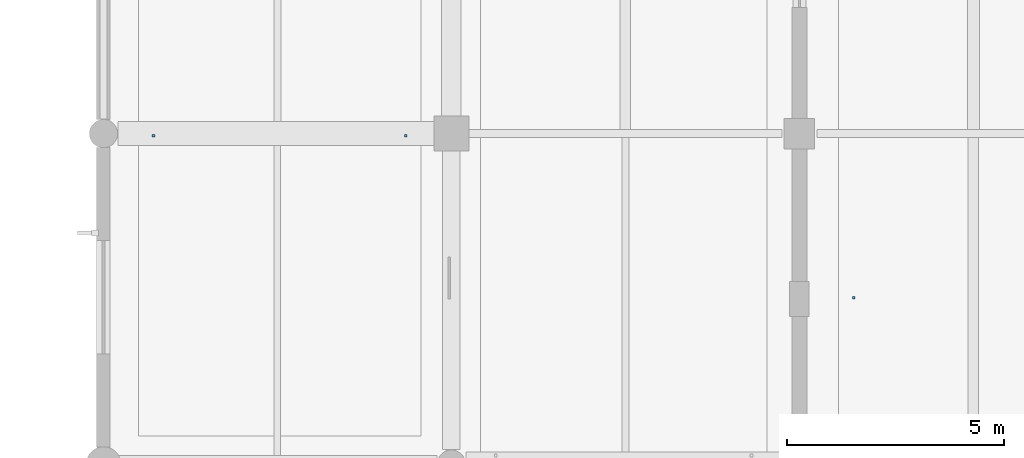
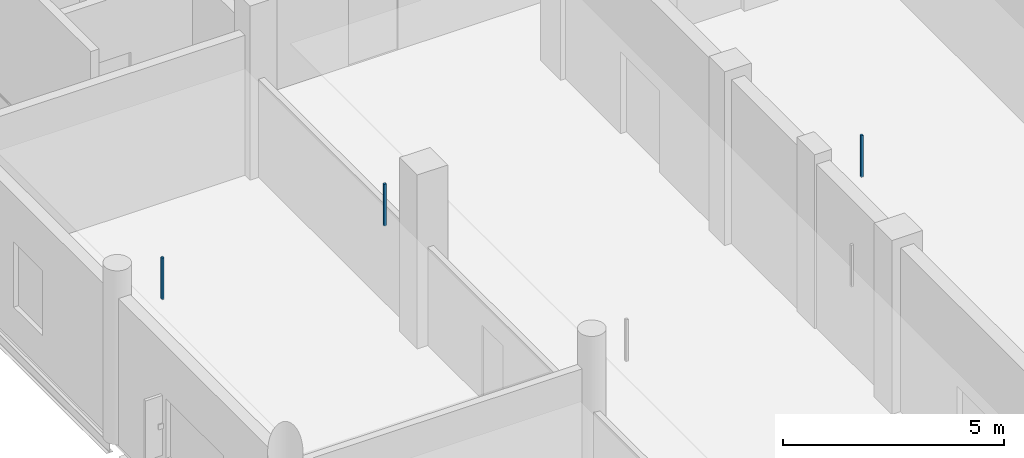
# One storey, part 108 of 141: 3 discrete accessories.
"""IFC4 building model written with IfcOpenShell, lengths in metres."""

from ifc_helpers import new_model, si_unit, direction, frame, origin, origin_2d, place, context, subcontext, project, spatial, rectangle, extrude, material, type_object, element, save


model = new_model("IFC4")

# Units and contexts
model_context = context("Model", 3, precision=1e-05, world=origin(), true_north=direction((0.0, 1.0)))
body_context = subcontext(model_context, "Body", "Model", "MODEL_VIEW")
ifc_project = project(units=[si_unit("LENGTHUNIT", "METRE"), si_unit("AREAUNIT", "SQUARE_METRE"), si_unit("VOLUMEUNIT", "CUBIC_METRE"), si_unit("PLANEANGLEUNIT", "RADIAN"), si_unit("MASSUNIT", "GRAM", prefix="KILO")], contexts=[model_context])

# Site, building, storey
site_placement = place(None, origin())
site = spatial("IfcSite", under=ifc_project, at=site_placement, CompositionType="ELEMENT")
building_placement = place(site_placement, origin())
building = spatial("IfcBuilding", under=site, at=building_placement, Name="Khelvaren Railside Concert Hall", CompositionType="ELEMENT")
storey_placement = place(building_placement, frame((0.0, 0.0, 10.199951171875)))
storey = spatial("IfcBuildingStorey", under=building, at=storey_placement, Name="L02", CompositionType="ELEMENT", Elevation=10.199951171875)

# Discrete accessories
ifc_material = material(Name="Galvanised steel acoustic ceiling hanger rod", Category="steel")
discrete_accessory_type = type_object("IfcDiscreteAccessoryType", Name="BRK62", PredefinedType="BRACKET", material=ifc_material)
for number, where, z_axis, x_axis, name in (
    (1, (1.14990234375, 98.75, 3.43017578125), (0.0, 0.0, 1.0), (1.0, 0.0, 0.0), "Acoustic Ceiling Suspension Bracket 121-1"),
    (2, (6.949951171875, 98.75, 3.43017578125), (0.0, 0.0, 1.0), (1.0, 0.0, 0.0), "Acoustic Ceiling Suspension Bracket 121-2"),
    (3, (17.25, 95.02490234375, 3.43017578125), (0.0, 0.0, 1.0), (1.0, 0.0, 0.0), "Acoustic Ceiling Suspension Bracket 125-1"),
):
    element("IfcDiscreteAccessory", number, at=place(storey_placement, frame(where, z_axis=z_axis, x_axis=x_axis)), inside=storey, type_object=discrete_accessory_type, Name=name, PredefinedType="BRACKET", context=body_context, shape_type="SweptSolid", body=[
        extrude(rectangle(XDim=0.06005859375, YDim=0.06005859375, at=origin_2d()), origin(), (0.0, 0.0, 1.0), 1.14990234375),
    ])

save(model, "model.ifc")
